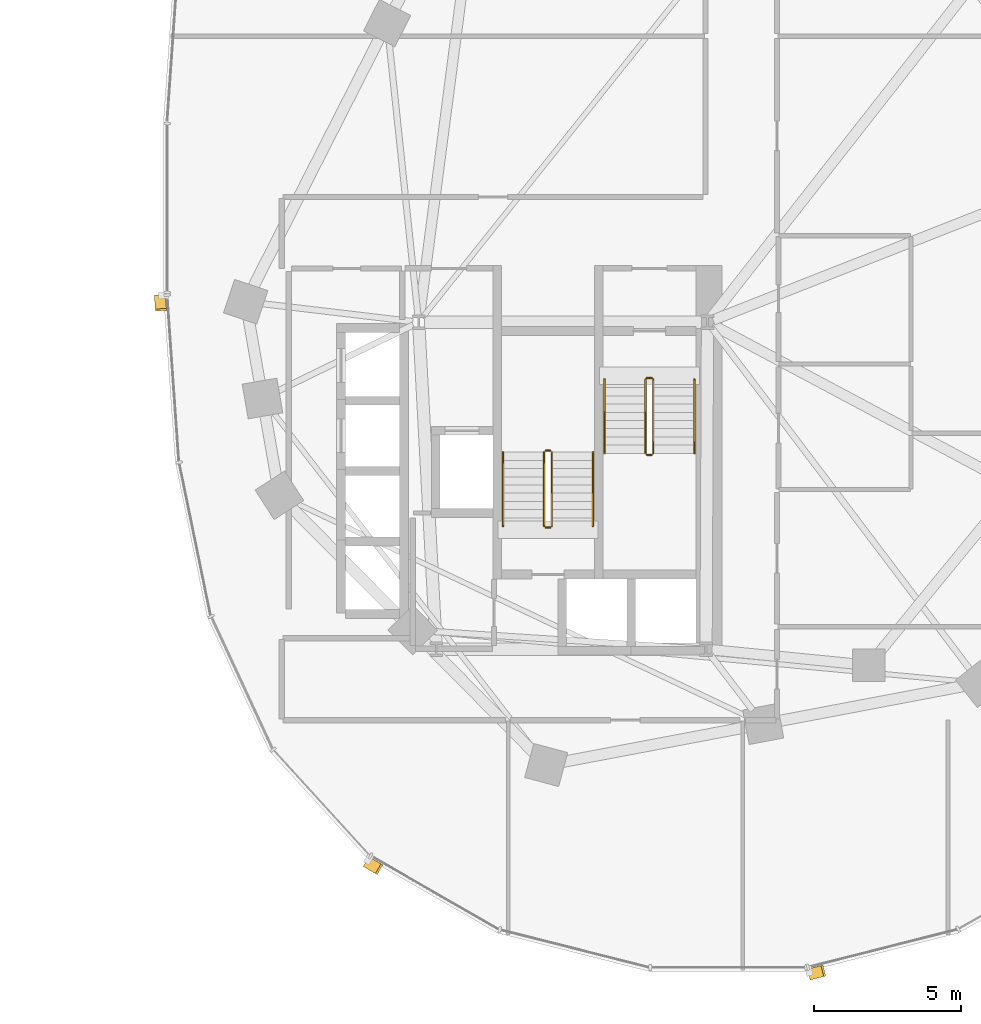
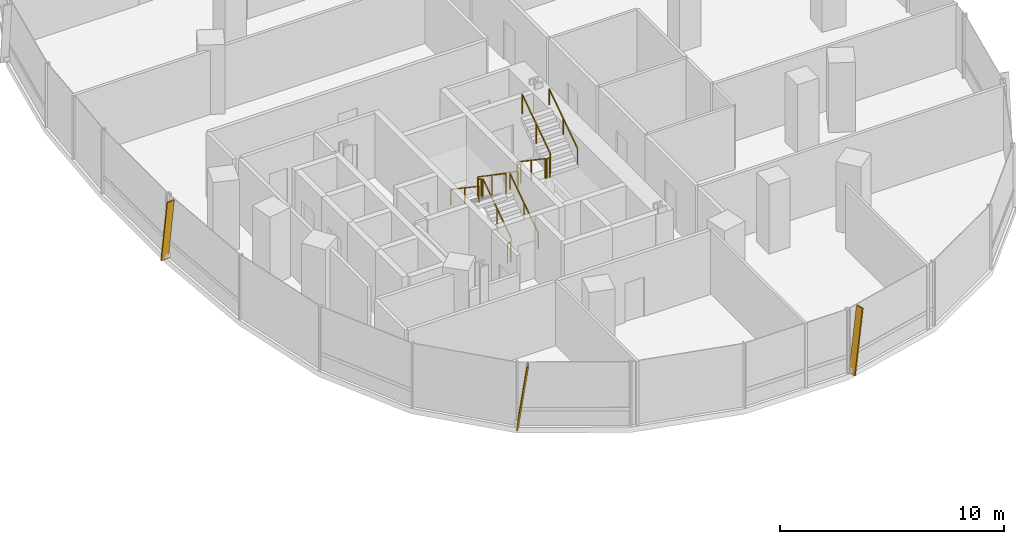
# One storey, part 20 of 21: 12 railings, 3 shading devices.
"""IFC4 building model written with IfcOpenShell, lengths in metres."""

from ifc_helpers import new_model, si_unit, direction, frame, origin, origin_2d, place, context, subcontext, project, spatial, rectangle, extrude, material, material_profile, profile_set, type_object, element, save


model = new_model("IFC4")

# Units and contexts
model_context = context("Model", 3, precision=1e-05, world=origin(), true_north=direction((0.0, 1.0)))
body_context = subcontext(model_context, "Body", "Model", "MODEL_VIEW")
ifc_project = project(units=[si_unit("LENGTHUNIT", "METRE"), si_unit("AREAUNIT", "SQUARE_METRE"), si_unit("VOLUMEUNIT", "CUBIC_METRE"), si_unit("PLANEANGLEUNIT", "RADIAN"), si_unit("MASSUNIT", "GRAM", prefix="KILO"), si_unit("THERMODYNAMICTEMPERATUREUNIT", "KELVIN"), si_unit("POWERUNIT", "WATT")], contexts=[model_context])

# Site, building, storey
site_placement = place(None, origin())
site = spatial("IfcSite", under=ifc_project, at=site_placement, CompositionType="ELEMENT")
building_placement = place(site_placement, origin())
building = spatial("IfcBuilding", under=site, at=building_placement, Name="Cundina Bronze Exchange", CompositionType="ELEMENT")
storey_placement = place(building_placement, frame((0.0, 0.0, 62.0)))
storey = spatial("IfcBuildingStorey", under=building, at=storey_placement, Name="L15", CompositionType="ELEMENT", Elevation=62.0)

# Railings
ifc_material_1 = material(Name="Steel ASTM A36 Painted", Category="steel")
railing_type_1 = type_object("IfcRailingType", Name="RLG-HND-900", PredefinedType="HANDRAIL", material=ifc_material_1)
railing_1_placement = place(storey_placement, frame((27.7900390625, -5.85009765625, 0.18994140625)))
element("IfcRailing", 1, at=railing_1_placement, inside=storey, type_object=railing_type_1, Name="L15 ST-E1 stair handrail 1", PredefinedType="HANDRAIL", context=body_context, shape_type="SweptSolid", body=[
    extrude(rectangle(XDim=0.048095703125, YDim=0.048095703125, at=origin_2d()), frame((0.0, 0.0, 0.8759765625), z_axis=(0.0, -0.827483756001, 0.561489655786), x_axis=(1.0, 0.0, 0.0)), (0.0, 0.0, 1.0), 3.04541015625),
    extrude(rectangle(XDim=0.0419921875, YDim=0.0419921875, at=origin_2d()), origin(), (0.0, 0.0, 1.0), 0.851806640625),
    extrude(rectangle(XDim=0.0419921875, YDim=0.0419921875, at=origin_2d()), frame((0.0, -1.260009765625, 0.85498046875)), (0.0, 0.0, 1.0), 0.851806640625),
    extrude(rectangle(XDim=0.0419921875, YDim=0.0419921875, at=origin_2d()), frame((0.0, -2.52001953125, 1.7099609375)), (0.0, 0.0, 1.0), 0.851806640625),
])
for number, where, name in (
    (2, (30.85009765625, -8.3701171875, 2.090087890625), "L15 ST-E1 stair handrail 2"),
    (3, (27.389892578125, -10.85009765625, 0.18994140625), "L15 ST-E2 stair handrail 1"),
):
    element("IfcRailing", number, at=place(storey_placement, frame(where)), inside=storey, type_object=railing_type_1, Name=name, PredefinedType="HANDRAIL", context=body_context, shape_type="SweptSolid", body=[
        extrude(rectangle(XDim=0.048095703125, YDim=0.048095703125, at=origin_2d()), frame((0.0, 0.0, 0.8759765625), z_axis=(0.0, 0.827483756001, 0.561489655786), x_axis=(-1.0, 0.0, 0.0)), (0.0, 0.0, 1.0), 3.04541015625),
        extrude(rectangle(XDim=0.0419921875, YDim=0.0419921875, at=origin_2d()), origin(), (0.0, 0.0, 1.0), 0.851806640625),
        extrude(rectangle(XDim=0.0419921875, YDim=0.0419921875, at=origin_2d()), frame((0.0, 1.260009765625, 0.85498046875)), (0.0, 0.0, 1.0), 0.851806640625),
        extrude(rectangle(XDim=0.0419921875, YDim=0.0419921875, at=origin_2d()), frame((0.0, 2.52001953125, 1.7099609375)), (0.0, 0.0, 1.0), 0.851806640625),
    ])
railing_2_placement = place(storey_placement, frame((24.330078125, -8.330078125, 2.090087890625)))
element("IfcRailing", 4, at=railing_2_placement, inside=storey, type_object=railing_type_1, Name="L15 ST-E2 stair handrail 2", PredefinedType="HANDRAIL", context=body_context, shape_type="SweptSolid", body=[
    extrude(rectangle(XDim=0.048095703125, YDim=0.048095703125, at=origin_2d()), frame((0.0, 0.0, 0.8759765625), z_axis=(0.0, -0.827483756001, 0.561489655786), x_axis=(1.0, 0.0, 0.0)), (0.0, 0.0, 1.0), 3.04541015625),
    extrude(rectangle(XDim=0.0419921875, YDim=0.0419921875, at=origin_2d()), origin(), (0.0, 0.0, 1.0), 0.851806640625),
    extrude(rectangle(XDim=0.0419921875, YDim=0.0419921875, at=origin_2d()), frame((0.0, -1.260009765625, 0.85498046875)), (0.0, 0.0, 1.0), 0.851806640625),
    extrude(rectangle(XDim=0.0419921875, YDim=0.0419921875, at=origin_2d()), frame((0.0, -2.52001953125, 1.7099609375)), (0.0, 0.0, 1.0), 0.851806640625),
])
railing_type_2 = type_object("IfcRailingType", Name="RLG-STG-1100", PredefinedType="GUARDRAIL", material=ifc_material_1)
railing_3_placement = place(storey_placement, frame((29.18994140625, -5.85009765625, 0.18994140625)))
element("IfcRailing", 5, at=railing_3_placement, inside=storey, type_object=railing_type_2, Name="L15 ST-E1 stair guard 1", PredefinedType="GUARDRAIL", context=body_context, shape_type="SweptSolid", body=[
    extrude(rectangle(XDim=0.048095703125, YDim=0.048095703125, at=origin_2d()), frame((0.0, 0.0, 1.076171875), z_axis=(0.0, -0.827483756001, 0.561489655786), x_axis=(1.0, 0.0, 0.0)), (0.0, 0.0, 1.0), 3.04541015625),
    extrude(rectangle(XDim=0.0419921875, YDim=0.0419921875, at=origin_2d()), origin(), (0.0, 0.0, 1.0), 1.052001953125),
    extrude(rectangle(XDim=0.0419921875, YDim=0.0419921875, at=origin_2d()), frame((0.0, -1.260009765625, 0.85498046875)), (0.0, 0.0, 1.0), 1.052001953125),
    extrude(rectangle(XDim=0.0419921875, YDim=0.0419921875, at=origin_2d()), frame((0.0, -2.52001953125, 1.7099609375)), (0.0, 0.0, 1.0), 1.052001953125),
])
railing_4_placement = place(storey_placement, frame((29.239990234375, -8.419921875, 1.89990234375)))
element("IfcRailing", 6, at=railing_4_placement, inside=storey, type_object=railing_type_2, Name="L15 ST-E1 stair guard 2", PredefinedType="GUARDRAIL", context=body_context, shape_type="SweptSolid", body=[
    extrude(rectangle(XDim=0.048095703125, YDim=0.048095703125, at=origin_2d()), frame((0.0, 0.0, 1.076171875), z_axis=(1.0, 0.0, 0.0), x_axis=(0.0, 1.0, 0.0)), (0.0, 0.0, 1.0), 0.159912109375),
    extrude(rectangle(XDim=0.0419921875, YDim=0.0419921875, at=origin_2d()), origin(), (0.0, 0.0, 1.0), 1.052001953125),
    extrude(rectangle(XDim=0.0419921875, YDim=0.0419921875, at=origin_2d()), frame((0.159912109375, 0.0, 0.0)), (0.0, 0.0, 1.0), 1.052001953125),
])
railing_5_placement = place(storey_placement, frame((29.449951171875, -8.3701171875, 2.090087890625)))
element("IfcRailing", 7, at=railing_5_placement, inside=storey, type_object=railing_type_2, Name="L15 ST-E1 stair guard 3", PredefinedType="GUARDRAIL", context=body_context, shape_type="SweptSolid", body=[
    extrude(rectangle(XDim=0.048095703125, YDim=0.048095703125, at=origin_2d()), frame((0.0, 0.0, 1.076171875), z_axis=(0.0, 0.827483756001, 0.561489655786), x_axis=(-1.0, 0.0, 0.0)), (0.0, 0.0, 1.0), 3.04541015625),
    extrude(rectangle(XDim=0.0419921875, YDim=0.0419921875, at=origin_2d()), origin(), (0.0, 0.0, 1.0), 1.052001953125),
    extrude(rectangle(XDim=0.0419921875, YDim=0.0419921875, at=origin_2d()), frame((0.0, 1.260009765625, 0.85498046875)), (0.0, 0.0, 1.0), 1.052001953125),
    extrude(rectangle(XDim=0.0419921875, YDim=0.0419921875, at=origin_2d()), frame((0.0, 2.52001953125, 1.7099609375)), (0.0, 0.0, 1.0), 1.052001953125),
])
railing_6_placement = place(storey_placement, frame((29.239990234375, -5.800048828125, 0.0)))
element("IfcRailing", 8, at=railing_6_placement, inside=storey, type_object=railing_type_2, Name="L15 ST-E1 stair guard 4", PredefinedType="GUARDRAIL", context=body_context, shape_type="SweptSolid", body=[
    extrude(rectangle(XDim=0.048095703125, YDim=0.048095703125, at=origin_2d()), frame((0.0, 0.0, 1.076171875), z_axis=(1.0, 0.0, 0.0), x_axis=(0.0, 1.0, 0.0)), (0.0, 0.0, 1.0), 0.159912109375),
    extrude(rectangle(XDim=0.0419921875, YDim=0.0419921875, at=origin_2d()), origin(), (0.0, 0.0, 1.0), 1.052001953125),
    extrude(rectangle(XDim=0.0419921875, YDim=0.0419921875, at=origin_2d()), frame((0.159912109375, 0.0, 0.0)), (0.0, 0.0, 1.0), 1.052001953125),
])
railing_7_placement = place(storey_placement, frame((25.989990234375, -10.85009765625, 0.18994140625)))
element("IfcRailing", 9, at=railing_7_placement, inside=storey, type_object=railing_type_2, Name="L15 ST-E2 stair guard 1", PredefinedType="GUARDRAIL", context=body_context, shape_type="SweptSolid", body=[
    extrude(rectangle(XDim=0.048095703125, YDim=0.048095703125, at=origin_2d()), frame((0.0, 0.0, 1.076171875), z_axis=(0.0, 0.827483756001, 0.561489655786), x_axis=(-1.0, 0.0, 0.0)), (0.0, 0.0, 1.0), 3.04541015625),
    extrude(rectangle(XDim=0.0419921875, YDim=0.0419921875, at=origin_2d()), origin(), (0.0, 0.0, 1.0), 1.052001953125),
    extrude(rectangle(XDim=0.0419921875, YDim=0.0419921875, at=origin_2d()), frame((0.0, 1.260009765625, 0.85498046875)), (0.0, 0.0, 1.0), 1.052001953125),
    extrude(rectangle(XDim=0.0419921875, YDim=0.0419921875, at=origin_2d()), frame((0.0, 2.52001953125, 1.7099609375)), (0.0, 0.0, 1.0), 1.052001953125),
])
railing_8_placement = place(storey_placement, frame((25.93994140625, -8.280029296875, 1.89990234375)))
element("IfcRailing", 10, at=railing_8_placement, inside=storey, type_object=railing_type_2, Name="L15 ST-E2 stair guard 2", PredefinedType="GUARDRAIL", context=body_context, shape_type="SweptSolid", body=[
    extrude(rectangle(XDim=0.048095703125, YDim=0.048095703125, at=origin_2d()), frame((0.0, 0.0, 1.076171875), z_axis=(-1.0, 0.0, 0.0), x_axis=(0.0, -1.0, 0.0)), (0.0, 0.0, 1.0), 0.159912109375),
    extrude(rectangle(XDim=0.0419921875, YDim=0.0419921875, at=origin_2d()), origin(), (0.0, 0.0, 1.0), 1.052001953125),
    extrude(rectangle(XDim=0.0419921875, YDim=0.0419921875, at=origin_2d()), frame((-0.159912109375, 0.0, 0.0)), (0.0, 0.0, 1.0), 1.052001953125),
])
railing_9_placement = place(storey_placement, frame((25.72998046875, -8.330078125, 2.090087890625)))
element("IfcRailing", 11, at=railing_9_placement, inside=storey, type_object=railing_type_2, Name="L15 ST-E2 stair guard 3", PredefinedType="GUARDRAIL", context=body_context, shape_type="SweptSolid", body=[
    extrude(rectangle(XDim=0.048095703125, YDim=0.048095703125, at=origin_2d()), frame((0.0, 0.0, 1.076171875), z_axis=(0.0, -0.827483756001, 0.561489655786), x_axis=(1.0, 0.0, 0.0)), (0.0, 0.0, 1.0), 3.04541015625),
    extrude(rectangle(XDim=0.0419921875, YDim=0.0419921875, at=origin_2d()), origin(), (0.0, 0.0, 1.0), 1.052001953125),
    extrude(rectangle(XDim=0.0419921875, YDim=0.0419921875, at=origin_2d()), frame((0.0, -1.260009765625, 0.85498046875)), (0.0, 0.0, 1.0), 1.052001953125),
    extrude(rectangle(XDim=0.0419921875, YDim=0.0419921875, at=origin_2d()), frame((0.0, -2.52001953125, 1.7099609375)), (0.0, 0.0, 1.0), 1.052001953125),
])
railing_10_placement = place(storey_placement, frame((25.93994140625, -10.89990234375, 0.0)))
element("IfcRailing", 12, at=railing_10_placement, inside=storey, type_object=railing_type_2, Name="L15 ST-E2 stair guard 4", PredefinedType="GUARDRAIL", context=body_context, shape_type="SweptSolid", body=[
    extrude(rectangle(XDim=0.048095703125, YDim=0.048095703125, at=origin_2d()), frame((0.0, 0.0, 1.076171875), z_axis=(-1.0, 0.0, 0.0), x_axis=(0.0, -1.0, 0.0)), (0.0, 0.0, 1.0), 0.159912109375),
    extrude(rectangle(XDim=0.0419921875, YDim=0.0419921875, at=origin_2d()), origin(), (0.0, 0.0, 1.0), 1.052001953125),
    extrude(rectangle(XDim=0.0419921875, YDim=0.0419921875, at=origin_2d()), frame((-0.159912109375, 0.0, 0.0)), (0.0, 0.0, 1.0), 1.052001953125),
])

# Shading devices
ifc_material_2 = material(Name="Anodised Bronze Aluminium 6063-T6", Category="aluminium")
ifc_material_profile = material_profile(ifc_material_2, rectangle(XDim=0.070068359375, YDim=0.3798828125, at=origin_2d()), Name="FIN70X380", Category="aluminium")
ifc_profile_set = profile_set([ifc_material_profile], Name="Anodised Bronze Aluminium 6063-T6")
shading_device_type = type_object("IfcShadingDeviceType", Name="SHD-FIN-BRZ380", PredefinedType="USERDEFINED", material=ifc_profile_set)
for number, where, z_axis, x_axis, name in (
    (13, (12.6259765625, -2.993896484375, 0.02001953125), (0.009645159174, -0.137059109714, 0.990515911709), (-0.06953288269, 0.988072340253, 0.137398066402), "L15 Diagonal Bronze Solar Fin 1"),
    (14, (19.685791015625, -22.314208984375, 0.02001953125), (0.119166378275, -0.06842456559, 0.990513731915), (-0.85898178632, 0.493221799887, 0.137413779831), "L15 Diagonal Bronze Solar Fin 5"),
    (15, (34.787353515625, -26.138427734375, 0.02001953125), (0.133214830938, 0.033688115694, 0.990514472221), (-0.960284642503, -0.242842181368, 0.137408443412), "L15 Diagonal Bronze Solar Fin 1"),
):
    element("IfcShadingDevice", number, at=place(storey_placement, frame(where, z_axis=z_axis, x_axis=x_axis)), inside=storey, type_object=shading_device_type, Name=name, ObjectType="FIN", PredefinedType="USERDEFINED", context=body_context, shape_type="SweptSolid", body=[
        extrude(rectangle(XDim=0.070068359375, YDim=0.3798828125, at=origin_2d()), origin(), (0.0, 0.0, 1.0), 3.4931640625),
    ])

save(model, "model.ifc")
